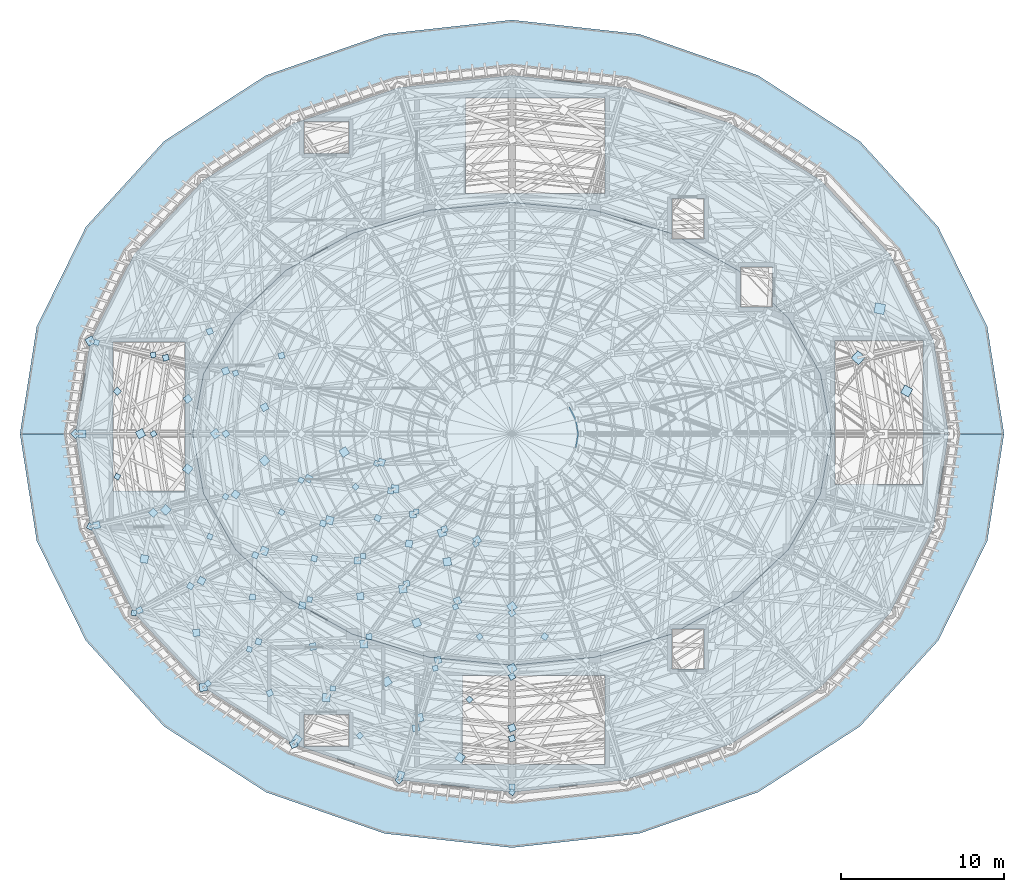
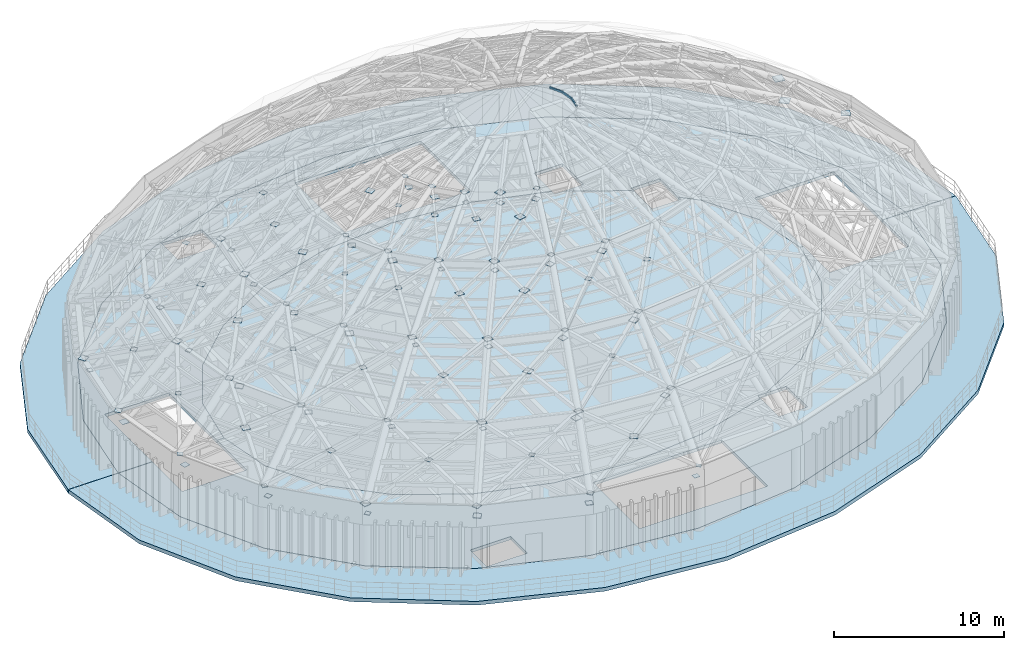
# One storey, part 35 of 50: 102 plates, 5 slabs, 3 members.
"""IFC4 building model written with IfcOpenShell, lengths in metres."""

from ifc_helpers import new_model, si_unit, direction, frame, origin, origin_2d, place, context, subcontext, project, spatial, polyline, rectangle, hollow_rectangle, outline, extrude, material, layer, layer_set, material_profile, profile_set, type_object, element, save


model = new_model("IFC4")

# Units and contexts
model_context = context("Model", 3, precision=1e-05, world=origin(), true_north=direction((0.0, 1.0)))
body_context = subcontext(model_context, "Body", "Model", "MODEL_VIEW")
ifc_project = project(units=[si_unit("LENGTHUNIT", "METRE"), si_unit("AREAUNIT", "SQUARE_METRE"), si_unit("VOLUMEUNIT", "CUBIC_METRE"), si_unit("PLANEANGLEUNIT", "RADIAN"), si_unit("MASSUNIT", "GRAM", prefix="KILO")], contexts=[model_context])

# Site, building, storey
site_placement = place(None, origin())
site = spatial("IfcSite", under=ifc_project, at=site_placement, CompositionType="ELEMENT")
building_placement = place(site_placement, origin())
building = spatial("IfcBuilding", under=site, at=building_placement, Name="Cinderbank Siding Concert Hall", CompositionType="ELEMENT")
storey_placement = place(building_placement, frame((0.0, 0.0, 23.699951171875)))
storey = spatial("IfcBuildingStorey", under=building, at=storey_placement, Name="L06", CompositionType="ELEMENT", Elevation=23.699951171875)

# Members
ifc_material_1 = material(Name="Structural steel hollow section AS/NZS 1163 Grade C350L0 (350 MPa)", Category="steel")
ifc_material_profile = material_profile(ifc_material_1, hollow_rectangle(XDim=0.074951171875, YDim=0.125, WallThickness=0.0048828125, at=origin_2d()), Name="125x75x5.0RHS", Category="LoadBearing")
ifc_profile_set = profile_set([ifc_material_profile], Name="Structural steel hollow section AS/NZS 1163 Grade C350L0 (350 MPa)")
member_type = type_object("IfcMemberType", Name="PR-RHS125 125x75x5.0RHS Roof Truss", PredefinedType="PURLIN", material=ifc_profile_set)
member_1_placement = place(storey_placement, frame((126.052978515625, 44.0, 16.150146484375), z_axis=(-0.160624167107, 0.98701564169, 0.0), x_axis=(-0.98701564169, -0.160624167107, 0.0)))
element("IfcMember", 1, at=member_1_placement, inside=storey, type_object=member_type, Name="L06 Roof Truss Member PR-RHS125 #1683", PredefinedType="PURLIN", context=body_context, shape_type="SweptSolid", body=[
    extrude(hollow_rectangle(XDim=0.074951171875, YDim=0.125, WallThickness=0.0048828125, at=origin_2d()), origin(), (0.0, 0.0, 1.0), 0.8603515625),
])
member_2_placement = place(storey_placement, frame((125.914794921875, 44.84912109375, 16.150146484375), z_axis=(-0.455435300966, 0.890268884458, 0.0), x_axis=(-0.890268884458, -0.455435300966, 0.0)))
element("IfcMember", 2, at=member_2_placement, inside=storey, type_object=member_type, Name="L06 Roof Truss Member PR-RHS125 #1693", PredefinedType="PURLIN", context=body_context, shape_type="SweptSolid", body=[
    extrude(hollow_rectangle(XDim=0.074951171875, YDim=0.125, WallThickness=0.0048828125, at=origin_2d()), origin(), (0.0, 0.0, 1.0), 0.888671875),
])
member_3_placement = place(storey_placement, frame((125.914794921875, 43.15087890625, 16.150146484375), z_axis=(0.160624167107, 0.98701564169, 0.0), x_axis=(-0.98701564169, 0.160624167107, 0.0)))
element("IfcMember", 3, at=member_3_placement, inside=storey, type_object=member_type, Name="L06 Roof Truss Member PR-RHS125 #1913", PredefinedType="PURLIN", context=body_context, shape_type="SweptSolid", body=[
    extrude(hollow_rectangle(XDim=0.074951171875, YDim=0.125, WallThickness=0.0048828125, at=origin_2d()), origin(), (0.0, 0.0, 1.0), 0.8603515625),
])

# Plates
ifc_material_2 = material(Name="Structural steel welded plate section AS/NZS 3679.2 / AS/NZS 3678 Grade 350 (340 MPa)", Category="steel")
ifc_layer_1 = layer(ifc_material_2, 0.02490234375)
ifc_layer_set_1 = layer_set([ifc_layer_1], Name="Structural steel welded plate section AS/NZS 3679.2 / AS/NZS 3678 Grade 350 (340 MPa)")
plate_type_1 = type_object("IfcPlateType", Name="GP-01 Steel Gusset Cap Plate 480x480x25", PredefinedType="SHEET", material=ifc_layer_set_1)
for number, where, z_axis, x_axis, name in (
    (4, (96.11328125, 49.694091796875, 4.487548828125), (0.0, 0.0, 1.0), (0.859227884191, 0.511593044351, 0.0), "L06 Steel Node Gusset Plate GP-01 #688"),
    (5, (99.199951171875, 44.0, 8.087646484375), (0.0, 0.0, 1.0), (0.476545113943, -0.879150018129, 0.0), "L06 Steel Node Gusset Plate GP-01 #692"),
    (6, (95.60205078125, 44.0, 3.53759765625), (0.0, 0.0, 1.0), (1.0, 0.0, 0.0), "L06 Steel Node Gusset Plate GP-01 #696"),
    (7, (100.747802734375, 39.32958984375, 7.1376953125), (0.0, 0.0, 1.0), (0.740452782677, -0.672108381607, 0.0), "L06 Steel Node Gusset Plate GP-01 #700"),
    (8, (99.429443359375, 36.317138671875, 6.42626953125), (0.0, 0.0, 1.0), (0.18909544299, 0.981958712696, 0.0), "L06 Steel Node Gusset Plate GP-01 #704"),
    (9, (103.049560546875, 28.443603515625, 4.487548828125), (0.0, 0.0, 1.0), (-0.127064608601, 0.99189444259, 0.0), "L06 Steel Node Gusset Plate GP-01 #708"),
    (10, (110.60009765625, 27.805419921875, 8.087646484375), (0.0, 0.0, 1.0), (0.996448909038, -0.084199594279, 0.0), "L06 Steel Node Gusset Plate GP-01 #712"),
    (11, (108.801025390625, 25.233154296875, 3.53759765625), (0.0, 0.0, 1.0), (0.573147450739, 0.819452255907, 0.0), "L06 Steel Node Gusset Plate GP-01 #716"),
    (12, (116.305419921875, 26.5693359375, 7.1376953125), (0.0, 0.0, 1.0), (0.984503179974, 0.175366726092, 0.0), "L06 Steel Node Gusset Plate GP-01 #720"),
    (13, (118.822509765625, 24.1201171875, 6.426025390625), (0.0, 0.0, 1.0), (-0.831857270839, 0.554989622383, 0.0), "L06 Steel Node Gusset Plate GP-01 #724"),
    (14, (103.800048828125, 44.0, 11.28759765625), (0.0, 0.0, 1.0), (0.61991599167, -0.784668186733, 0.0), "L06 Steel Node Gusset Plate GP-01 #788"),
    (15, (102.096435546875, 41.843505859375, 9.86181640625), (0.0, 0.0, 1.0), (0.61991599167, 0.784668186733, 0.0), "L06 Steel Node Gusset Plate GP-01 #792"),
    (16, (106.7900390625, 36.810791015625, 10.337646484375), (0.0, 0.0, 1.0), (0.92300887401, -0.384778661699, 0.0), "L06 Steel Node Gusset Plate GP-01 #796"),
    (17, (112.89990234375, 31.09619140625, 11.28759765625), (0.0, 0.0, 1.0), (0.998970569791, 0.045362988129, 0.0), "L06 Steel Node Gusset Plate GP-01 #800"),
    (18, (114.326416015625, 28.795654296875, 9.860595703125), (0.0, 0.0, 1.0), (-0.526955795497, 0.849892692987, 0.0), "L06 Steel Node Gusset Plate GP-01 #804"),
    (19, (122.0, 29.62158203125, 10.337646484375), (0.0, 0.0, 1.0), (0.881385914309, 0.472396941203, 0.0), "L06 Steel Node Gusset Plate GP-01 #808"),
    (20, (106.814697265625, 42.352783203125, 12.834228515625), (0.0, 0.0, 1.0), (0.735032945147, 0.678031392746, 0.0), "L06 Steel Node Gusset Plate GP-01 #864"),
    (21, (110.801513671875, 38.6923828125, 13.03759765625), (0.0, 0.0, 1.0), (0.964188042068, -0.265219568533, 0.0), "L06 Steel Node Gusset Plate GP-01 #868"),
    (22, (115.300048828125, 34.4736328125, 13.987548828125), (0.0, 0.0, 1.0), (0.986883906564, 0.161431579828, 0.0), "L06 Steel Node Gusset Plate GP-01 #872"),
    (23, (116.149169921875, 32.396728515625, 12.835205078125), (0.0, 0.0, 1.0), (-0.378487074295, 0.925606576571, 0.0), "L06 Steel Node Gusset Plate GP-01 #876"),
    (24, (122.0, 33.385009765625, 13.03759765625), (0.0, 0.0, 1.0), (0.811471998801, 0.584391303119, 0.0), "L06 Steel Node Gusset Plate GP-01 #880"),
    (25, (111.69970703125, 42.885498046875, 15.20458984375), (0.0, 0.0, 1.0), (0.836381838331, 0.548147261701, 0.0), "L06 Steel Node Gusset Plate GP-01 #936"),
    (26, (114.81298828125, 40.62255859375, 15.03759765625), (0.0, 0.0, 1.0), (0.993006778393, -0.11805735075, 0.0), "L06 Steel Node Gusset Plate GP-01 #940"),
    (27, (117.699951171875, 37.937744140625, 15.987548828125), (0.0, 0.0, 1.0), (0.949206038203, 0.314655203419, 0.0), "L06 Steel Node Gusset Plate GP-01 #944"),
    (28, (118.027099609375, 36.143310546875, 15.201171875), (0.0, 0.0, 1.0), (-0.179317351584, 0.983791282448, 0.0), "L06 Steel Node Gusset Plate GP-01 #948"),
):
    element("IfcPlate", number, at=place(storey_placement, frame(where, z_axis=z_axis, x_axis=x_axis)), inside=storey, type_object=plate_type_1, Name=name, PredefinedType="SHEET", context=body_context, shape_type="SweptSolid", body=[
        extrude(rectangle(XDim=0.47998046875, YDim=0.47998046875, at=origin_2d()), origin(), (0.0, 0.0, 1.0), 0.02490234375),
    ])
ifc_layer_2 = layer(ifc_material_2, 0.02197265625)
ifc_layer_set_2 = layer_set([ifc_layer_2], Name="Structural steel welded plate section AS/NZS 3679.2 / AS/NZS 3678 Grade 350 (340 MPa)")
plate_type_2 = type_object("IfcPlateType", Name="GP-02 Steel Gusset Cap Plate 420x420x22", PredefinedType="SHEET", material=ifc_layer_set_2)
for number, where, z_axis, x_axis, name in (
    (29, (95.199951171875, 44.0, 4.489013671875), (0.0, 0.0, 1.0), (0.70240155419, 0.711780904964, 0.0), "L06 Steel Node Gusset Plate GP-02 #693"),
    (30, (99.976806640625, 39.16015625, 8.089111328125), (0.0, 0.0, 1.0), (0.70240155419, -0.711780904964, 0.0), "L06 Steel Node Gusset Plate GP-02 #697"),
    (31, (96.50146484375, 38.391357421875, 3.5390625), (0.0, 0.0, 1.0), (0.976409200803, 0.215928396898, 0.0), "L06 Steel Node Gusset Plate GP-02 #701"),
    (32, (102.94580078125, 34.977294921875, 7.13916015625), (0.0, 0.0, 1.0), (0.883602237931, -0.468238278148, 0.0), "L06 Steel Node Gusset Plate GP-02 #705"),
    (33, (102.62158203125, 31.785400390625, 6.427490234375), (0.0, 0.0, 1.0), (-0.127064608601, 0.99189444259, 0.0), "L06 Steel Node Gusset Plate GP-02 #709"),
    (34, (108.60009765625, 24.947509765625, 4.489013671875), (0.0, 0.0, 1.0), (-0.423092745435, 0.906086380408, 0.0), "L06 Steel Node Gusset Plate GP-02 #713"),
    (35, (116.098876953125, 25.937255859375, 8.089111328125), (0.0, 0.0, 1.0), (0.991399238736, 0.130872263805, 0.0), "L06 Steel Node Gusset Plate GP-02 #717"),
    (36, (115.167724609375, 23.068359375, 3.5390625), (0.0, 0.0, 1.0), (0.308684994204, 0.951164325631, 0.0), "L06 Steel Node Gusset Plate GP-02 #721"),
    (37, (122.0, 25.95458984375, 7.13916015625), (0.0, 0.0, 1.0), (0.921185405566, 0.38912395014, 0.0), "L06 Steel Node Gusset Plate GP-02 #725"),
    (38, (104.420166015625, 47.8564453125, 11.2890625), (0.0, 0.0, 1.0), (0.366663609641, -0.93035358728, 0.0), "L06 Steel Node Gusset Plate GP-02 #785"),
    (39, (102.093994140625, 46.13818359375, 9.86328125), (0.0, 0.0, 1.0), (0.804271929332, 0.594261443885, 0.0), "L06 Steel Node Gusset Plate GP-02 #789"),
    (40, (105.035400390625, 40.278564453125, 10.339111328125), (0.0, 0.0, 1.0), (0.804271929332, -0.594261443885, 0.0), "L06 Steel Node Gusset Plate GP-02 #793"),
    (41, (109.130615234375, 33.464111328125, 11.2890625), (0.0, 0.0, 1.0), (0.985437590637, -0.170037510451, 0.0), "L06 Steel Node Gusset Plate GP-02 #797"),
    (42, (109.785888671875, 30.941162109375, 9.8623046875), (0.0, 0.0, 1.0), (-0.251393708421, 0.967884912253, 0.0), "L06 Steel Node Gusset Plate GP-02 #801"),
    (43, (117.454345703125, 30.111328125, 10.339111328125), (0.0, 0.0, 1.0), (0.965563505285, 0.260167479254, 0.0), "L06 Steel Node Gusset Plate GP-02 #805"),
    (44, (106.8125, 45.631591796875, 12.83642578125), (0.0, 0.0, 1.0), (0.879316310191, 0.476238203668, 0.0), "L06 Steel Node Gusset Plate GP-02 #861"),
    (45, (109.509521484375, 41.252685546875, 13.0390625), (0.0, 0.0, 1.0), (0.879316310191, -0.476238203668, 0.0), "L06 Steel Node Gusset Plate GP-02 #865"),
    (46, (112.52490234375, 36.2216796875, 13.989013671875), (0.0, 0.0, 1.0), (0.998638653892, -0.052161661713, 0.0), "L06 Steel Node Gusset Plate GP-02 #869"),
    (47, (112.68505859375, 34.032958984375, 12.8359375), (0.0, 0.0, 1.0), (-0.0730641318, 0.997327244511, 0.0), "L06 Steel Node Gusset Plate GP-02 #873"),
    (48, (118.6533203125, 33.74658203125, 13.0390625), (0.0, 0.0, 1.0), (0.926987583926, 0.375092014374, 0.0), "L06 Steel Node Gusset Plate GP-02 #877"),
    (49, (113.98388671875, 42.251708984375, 15.0390625), (0.0, 0.0, 1.0), (0.942174490079, -0.335122709234, 0.0), "L06 Steel Node Gusset Plate GP-02 #937"),
    (50, (115.9189453125, 39.05029296875, 15.989013671875), (0.0, 0.0, 1.0), (0.995072889372, 0.099146078272, 0.0), "L06 Steel Node Gusset Plate GP-02 #941"),
    (51, (115.67578125, 37.2529296875, 15.20361328125), (0.0, 0.0, 1.0), (0.133986185418, 0.990983199715, 0.0), "L06 Steel Node Gusset Plate GP-02 #945"),
    (52, (119.85205078125, 37.47509765625, 15.0390625), (0.0, 0.0, 1.0), (0.850719384362, 0.52562013762, 0.0), "L06 Steel Node Gusset Plate GP-02 #949"),
):
    element("IfcPlate", number, at=place(storey_placement, frame(where, z_axis=z_axis, x_axis=x_axis)), inside=storey, type_object=plate_type_2, Name=name, PredefinedType="SHEET", context=body_context, shape_type="SweptSolid", body=[
        extrude(rectangle(XDim=0.419921875, YDim=0.419921875, at=origin_2d()), origin(), (0.0, 0.0, 1.0), 0.02197265625),
    ])
ifc_layer_3 = layer(ifc_material_2, 0.02001953125)
ifc_layer_set_3 = layer_set([ifc_layer_3], Name="Structural steel welded plate section AS/NZS 3679.2 / AS/NZS 3678 Grade 350 (340 MPa)")
plate_type_3 = type_object("IfcPlateType", Name="GP-03 Steel Gusset Cap Plate 360x360x20", PredefinedType="SHEET", material=ifc_layer_set_3)
for number, where, z_axis, x_axis, name in (
    (53, (100.747802734375, 48.67041015625, 7.14013671875), (0.0, 0.0, 1.0), (0.252576015004, -0.967577054629, 0.0), "L06 Steel Node Gusset Plate GP-03 #690"),
    (54, (97.772705078125, 46.606689453125, 6.428955078125), (0.0, 0.0, 1.0), (0.70240155419, 0.711780904964, 0.0), "L06 Steel Node Gusset Plate GP-03 #694"),
    (55, (96.11328125, 38.305908203125, 4.489990234375), (0.0, 0.0, 1.0), (0.476545113943, 0.879150018129, 0.0), "L06 Steel Node Gusset Plate GP-03 #698"),
    (56, (102.254638671875, 34.64990234375, 8.090087890625), (0.0, 0.0, 1.0), (0.859227884191, -0.511593044351, 0.0), "L06 Steel Node Gusset Plate GP-03 #702"),
    (57, (99.138671875, 33.1650390625, 3.5400390625), (0.0, 0.0, 1.0), (0.90273550608, 0.430196008887, 0.0), "L06 Steel Node Gusset Plate GP-03 #706"),
    (58, (106.442138671875, 31.239990234375, 7.14013671875), (0.0, 0.0, 1.0), (0.966957007154, -0.2549394954, 0.0), "L06 Steel Node Gusset Plate GP-03 #710"),
    (59, (107.134521484375, 28.08642578125, 6.428466796875), (0.0, 0.0, 1.0), (-0.423092745435, 0.906086380408, 0.0), "L06 Steel Node Gusset Plate GP-03 #714"),
    (60, (115.063720703125, 22.74951171875, 4.489990234375), (0.0, 0.0, 1.0), (-0.66183538044, 0.749649204093, 0.0), "L06 Steel Node Gusset Plate GP-03 #718"),
    (61, (122.0, 25.300048828125, 8.090087890625), (0.0, 0.0, 1.0), (0.93855327437, 0.345134395808, 0.0), "L06 Steel Node Gusset Plate GP-03 #722"),
    (62, (122.0, 22.330078125, 3.5400390625), (0.0, 0.0, 1.0), (0.0, 1.0, 0.0), "L06 Steel Node Gusset Plate GP-03 #726"),
    (63, (103.447998046875, 50.286865234375, 9.864013671875), (0.0, 0.0, 1.0), (0.92300887401, 0.384778661699, 0.0), "L06 Steel Node Gusset Plate GP-03 #786"),
    (64, (104.43701171875, 44.0, 10.340087890625), (0.0, 0.0, 1.0), (0.61991599167, -0.784668186733, 0.0), "L06 Steel Node Gusset Plate GP-03 #790"),
    (65, (106.23828125, 36.550048828125, 11.2900390625), (0.0, 0.0, 1.0), (0.92300887401, -0.384778661699, 0.0), "L06 Steel Node Gusset Plate GP-03 #794"),
    (66, (106.07763671875, 33.976806640625, 9.863525390625), (0.0, 0.0, 1.0), (0.062267945373, 0.998059468659, 0.0), "L06 Steel Node Gusset Plate GP-03 #798"),
    (67, (113.218505859375, 31.5478515625, 10.340087890625), (0.0, 0.0, 1.0), (0.998970569791, 0.045362988129, 0.0), "L06 Steel Node Gusset Plate GP-03 #802"),
    (68, (122.0, 29.10009765625, 11.2900390625), (0.0, 0.0, 1.0), (0.881385914309, 0.472396941203, 0.0), "L06 Steel Node Gusset Plate GP-03 #806"),
    (69, (107.845703125, 48.798583984375, 12.838134765625), (0.0, 0.0, 1.0), (0.964188042068, 0.265219568533, 0.0), "L06 Steel Node Gusset Plate GP-03 #858"),
    (70, (110.395263671875, 38.5, 13.989990234375), (0.0, 0.0, 1.0), (0.964188042068, -0.265219568533, 0.0), "L06 Steel Node Gusset Plate GP-03 #866"),
    (71, (109.85498046875, 36.3486328125, 12.83642578125), (0.0, 0.0, 1.0), (0.243615011786, 0.969872015285, 0.0), "L06 Steel Node Gusset Plate GP-03 #870"),
    (72, (115.534423828125, 34.80712890625, 13.0400390625), (0.0, 0.0, 1.0), (0.986883906564, 0.161431579828, 0.0), "L06 Steel Node Gusset Plate GP-03 #874"),
    (73, (122.0, 33.0, 13.989990234375), (0.0, 0.0, 1.0), (0.811471998801, 0.584391303119, 0.0), "L06 Steel Node Gusset Plate GP-03 #878"),
    (74, (124.00830078125, 31.5537109375, 12.8388671875), (0.0, 0.0, 1.0), (-0.811471998801, 0.584391303119, 0.0), "L06 Steel Node Gusset Plate GP-03 #882"),
    (75, (114.55224609375, 40.5, 15.989990234375), (0.0, 0.0, 1.0), (0.993006778393, -0.11805735075, 0.0), "L06 Steel Node Gusset Plate GP-03 #938"),
    (76, (113.757080078125, 38.822509765625, 15.205810546875), (0.0, 0.0, 1.0), (0.428304381921, 0.903634525916, 0.0), "L06 Steel Node Gusset Plate GP-03 #942"),
    (77, (117.8505859375, 38.14990234375, 15.0400390625), (0.0, 0.0, 1.0), (0.949206038203, 0.314655203419, 0.0), "L06 Steel Node Gusset Plate GP-03 #946"),
):
    element("IfcPlate", number, at=place(storey_placement, frame(where, z_axis=z_axis, x_axis=x_axis)), inside=storey, type_object=plate_type_3, Name=name, PredefinedType="SHEET", context=body_context, shape_type="SweptSolid", body=[
        extrude(rectangle(XDim=0.360107421875, YDim=0.360107421875, at=origin_2d()), origin(), (0.0, 0.0, 1.0), 0.02001953125),
    ])
ifc_layer_4 = layer(ifc_material_2, 0.02099609375)
ifc_layer_set_4 = layer_set([ifc_layer_4], Name="Structural steel welded plate section AS/NZS 3679.2 / AS/NZS 3678 Grade 350 (340 MPa)")
plate_type_4 = type_object("IfcPlateType", Name="GP-04 Steel Gusset Cap Plate 320x320x21", PredefinedType="SHEET", material=ifc_layer_set_4)
for number, where, z_axis, x_axis, name in (
    (78, (99.976806640625, 48.83984375, 8.089599609375), (0.0, 0.0, 1.0), (0.18909544299, -0.981958712696, 0.0), "L06 Steel Node Gusset Plate GP-04 #687"),
    (79, (96.50146484375, 49.608642578125, 3.53955078125), (0.0, 0.0, 1.0), (0.976409200803, -0.215928396898, 0.0), "L06 Steel Node Gusset Plate GP-04 #691"),
    (80, (99.998046875, 44.0, 7.1396484375), (0.0, 0.0, 1.0), (0.529030899945, -0.848602561216, 0.0), "L06 Steel Node Gusset Plate GP-04 #695"),
    (81, (97.775634765625, 41.372314453125, 6.42822265625), (0.0, 0.0, 1.0), (0.476545113943, 0.879150018129, 0.0), "L06 Steel Node Gusset Plate GP-04 #699"),
    (82, (98.79052734375, 33.0, 4.489501953125), (0.0, 0.0, 1.0), (0.18909544299, 0.981958712696, 0.0), "L06 Steel Node Gusset Plate GP-04 #703"),
    (83, (105.8779296875, 30.777099609375, 8.089599609375), (0.0, 0.0, 1.0), (0.954188121518, -0.299207334056, 0.0), "L06 Steel Node Gusset Plate GP-04 #707"),
    (84, (103.333740234375, 28.677001953125, 3.53955078125), (0.0, 0.0, 1.0), (0.771180329014, 0.636616760808, 0.0), "L06 Steel Node Gusset Plate GP-04 #711"),
    (85, (110.9990234375, 28.3720703125, 7.1396484375), (0.0, 0.0, 1.0), (0.999208342878, -0.039783005453, 0.0), "L06 Steel Node Gusset Plate GP-04 #715"),
    (86, (112.66015625, 25.4716796875, 6.427978515625), (0.0, 0.0, 1.0), (-0.66183538044, 0.749649204093, 0.0), "L06 Steel Node Gusset Plate GP-04 #719"),
    (87, (122.0, 22.0, 4.489501953125), (0.0, 0.0, 1.0), (-0.831857270839, 0.554989622383, 0.0), "L06 Steel Node Gusset Plate GP-04 #723"),
    (88, (105.035400390625, 47.721435546875, 10.339599609375), (0.0, 0.0, 1.0), (0.366663609641, -0.93035358728, 0.0), "L06 Steel Node Gusset Plate GP-04 #787"),
    (89, (104.420166015625, 40.1435546875, 11.28955078125), (0.0, 0.0, 1.0), (0.804271929332, -0.594261443885, 0.0), "L06 Steel Node Gusset Plate GP-04 #791"),
    (90, (103.455078125, 37.6953125, 9.863525390625), (0.0, 0.0, 1.0), (0.366663609641, 0.93035358728, 0.0), "L06 Steel Node Gusset Plate GP-04 #795"),
    (91, (109.5810546875, 33.8330078125, 10.339599609375), (0.0, 0.0, 1.0), (0.985467252771, -0.169865516557, 0.0), "L06 Steel Node Gusset Plate GP-04 #799"),
    (92, (117.28955078125, 29.607666015625, 11.28955078125), (0.0, 0.0, 1.0), (0.965563505285, 0.260167479254, 0.0), "L06 Steel Node Gusset Plate GP-04 #803"),
    (93, (119.39013671875, 27.686767578125, 9.862548828125), (0.0, 0.0, 1.0), (-0.737984408834, 0.674817762301, 0.0), "L06 Steel Node Gusset Plate GP-04 #807"),
    (94, (109.056640625, 41.153076171875, 13.989501953125), (0.0, 0.0, 1.0), (0.879316310191, -0.476238203668, 0.0), "L06 Steel Node Gusset Plate GP-04 #863"),
    (95, (107.8525390625, 39.186279296875, 12.8359375), (0.0, 0.0, 1.0), (0.522200905326, 0.85282249881, 0.0), "L06 Steel Node Gusset Plate GP-04 #867"),
    (96, (112.8564453125, 36.494140625, 13.03955078125), (0.0, 0.0, 1.0), (0.998638653892, -0.052161661713, 0.0), "L06 Steel Node Gusset Plate GP-04 #871"),
    (97, (118.53173828125, 33.374755859375, 13.989501953125), (0.0, 0.0, 1.0), (0.926987583926, 0.375092014374, 0.0), "L06 Steel Node Gusset Plate GP-04 #875"),
    (98, (120.01123046875, 31.55126953125, 12.837890625), (0.0, 0.0, 1.0), (-0.629998339126, 0.776596479968, 0.0), "L06 Steel Node Gusset Plate GP-04 #879"),
    (99, (113.693115234375, 42.188232421875, 15.989501953125), (0.0, 0.0, 1.0), (0.942174490079, -0.335122709234, 0.0), "L06 Steel Node Gusset Plate GP-04 #935"),
    (100, (112.4013671875, 40.74365234375, 15.206298828125), (0.0, 0.0, 1.0), (0.666532470249, 0.745475999683, 0.0), "L06 Steel Node Gusset Plate GP-04 #939"),
    (101, (116.131591796875, 39.223388671875, 15.03955078125), (0.0, 0.0, 1.0), (0.995072889372, 0.099146078272, 0.0), "L06 Steel Node Gusset Plate GP-04 #943"),
    (102, (119.774169921875, 37.238525390625, 15.989501953125), (0.0, 0.0, 1.0), (0.850719384362, 0.52562013762, 0.0), "L06 Steel Node Gusset Plate GP-04 #947"),
):
    element("IfcPlate", number, at=place(storey_placement, frame(where, z_axis=z_axis, x_axis=x_axis)), inside=storey, type_object=plate_type_4, Name=name, PredefinedType="SHEET", context=body_context, shape_type="SweptSolid", body=[
        extrude(rectangle(XDim=0.320068359375, YDim=0.320068359375, at=origin_2d()), origin(), (0.0, 0.0, 1.0), 0.02099609375),
    ])
ifc_layer_5 = layer(ifc_material_2, 0.031982421875)
ifc_layer_set_5 = layer_set([ifc_layer_5], Name="Structural steel welded plate section AS/NZS 3679.2 / AS/NZS 3678 Grade 350 (340 MPa)")
plate_type_5 = type_object("IfcPlateType", Name="GP-06 Steel Gusset Cap Plate 550x550x32", PredefinedType="SHEET", material=ifc_layer_set_5)
plate_placement = place(storey_placement, frame((146.224365234375, 46.627685546875, 6.4228515625), z_axis=(0.0, 0.0, 1.0), x_axis=(-0.476545113943, -0.879150018129, 0.0)))
element("IfcPlate", 103, at=plate_placement, inside=storey, type_object=plate_type_5, Name="L06 Steel Node Gusset Plate GP-06 #639", PredefinedType="SHEET", context=body_context, shape_type="SweptSolid", body=[
    extrude(rectangle(XDim=0.550048828125, YDim=0.550048828125, at=origin_2d()), origin(), (0.0, 0.0, 1.0), 0.031982421875),
])
ifc_layer_6 = layer(ifc_material_2, 0.035888671875)
ifc_layer_set_6 = layer_set([ifc_layer_6], Name="Structural steel welded plate section AS/NZS 3679.2 / AS/NZS 3678 Grade 350 (340 MPa)")
plate_type_6 = type_object("IfcPlateType", Name="GP-07 Steel Gusset Cap Plate 620x620x36", PredefinedType="SHEET", material=ifc_layer_set_6)
for number, where, z_axis, x_axis, name in (
    (104, (143.252197265625, 48.67041015625, 7.13232421875), (0.0, 0.0, 1.0), (-0.740452782677, 0.672108381607, 0.0), "L06 Steel Node Gusset Plate GP-07 #640"),
    (105, (144.570556640625, 51.682861328125, 6.4208984375), (0.0, 0.0, 1.0), (-0.18909544299, -0.981958712696, 0.0), "L06 Steel Node Gusset Plate GP-07 #644"),
):
    element("IfcPlate", number, at=place(storey_placement, frame(where, z_axis=z_axis, x_axis=x_axis)), inside=storey, type_object=plate_type_6, Name=name, PredefinedType="SHEET", context=body_context, shape_type="SweptSolid", body=[
        extrude(rectangle(XDim=0.6201171875, YDim=0.6201171875, at=origin_2d()), origin(), (0.0, 0.0, 1.0), 0.035888671875),
    ])

# Slabs
ifc_material_3 = material(Name="Reinforced concrete AS 3600 N50 (50 MPa)", Category="concrete")
ifc_layer_7 = layer(ifc_material_3, 0.25)
ifc_layer_set_7 = layer_set([ifc_layer_7], Name="Reinforced concrete AS 3600 N50 (50 MPa)")
slab_type_1 = type_object("IfcSlabType", Name="SL-04 Slab 250mm", PredefinedType="FLOOR", material=ifc_layer_set_7)
slab_1_placement = place(storey_placement, frame((0.0, 0.0, -0.25)))
element("IfcSlab", 106, at=slab_1_placement, inside=storey, type_object=slab_type_1, Name="L06 Crown Recital Salon & Acoustic Canopy Slab", PredefinedType="FLOOR", context=body_context, shape_type="SweptSolid", body=[
    extrude(outline(polyline([(135.859375, 33.958984375), (132.389404296875, 32.030029296875), (131.820068359375, 32.030029296875), (131.800048828125, 31.702392578125), (127.072998046875, 30.283935546875), (122.0, 29.800048828125), (116.927001953125, 30.283935546875), (112.199951171875, 31.702392578125), (108.140625, 33.958984375), (105.02587890625, 36.89990234375), (103.06787109375, 40.32470703125), (102.39990234375, 44.0), (103.06787109375, 47.67529296875), (105.02587890625, 51.10009765625), (108.140625, 54.041015625), (112.199951171875, 56.297607421875), (116.927001953125, 57.716064453125), (122.0, 58.199951171875), (127.072998046875, 57.716064453125), (131.800048828125, 56.297607421875), (131.820068359375, 55.969970703125), (132.389404296875, 55.969970703125), (135.859375, 54.041015625), (136.02001953125, 53.88916015625), (136.02001953125, 51.77001953125), (137.97998046875, 51.77001953125), (137.97998046875, 52.03857421875), (138.97412109375, 51.10009765625), (140.93212890625, 47.67529296875), (141.60009765625, 44.0), (140.93212890625, 40.32470703125), (138.97412109375, 36.89990234375), (135.859375, 33.958984375)])), origin(), (0.0, 0.0, 1.0), 0.25),
])
ifc_layer_8 = layer(ifc_material_3, 0.219970703125)
ifc_layer_set_8 = layer_set([ifc_layer_8], Name="Reinforced concrete AS 3600 N50 (50 MPa)")
slab_type_2 = type_object("IfcSlabType", Name="SL-07 Slab 220mm", PredefinedType="FLOOR", material=ifc_layer_set_8)
slab_2_placement = place(storey_placement, frame((0.0, 0.0, -0.219970703125)))
element("IfcSlab", 107, at=slab_2_placement, inside=storey, type_object=slab_type_2, Name="L06 Organ & Conservation Ring Slab North", PredefinedType="FLOOR", context=body_context, shape_type="SweptSolid", body=[
    extrude(outline(polyline([(122.0, 66.0), (128.936279296875, 65.25048828125), (135.39990234375, 63.052490234375), (140.950439453125, 59.556396484375), (145.20947265625, 55.0), (147.88671875, 49.694091796875), (148.799072265625, 44.006103515625), (147.219970703125, 44.006103515625), (147.219970703125, 49.719970703125), (141.820068359375, 49.719970703125), (141.820068359375, 44.006103515625), (141.598876953125, 44.006103515625), (140.93212890625, 47.67529296875), (138.97412109375, 51.10009765625), (137.97998046875, 52.03857421875), (137.97998046875, 54.22998046875), (136.02001953125, 54.22998046875), (136.02001953125, 53.88916015625), (135.859375, 54.041015625), (132.389404296875, 55.969970703125), (133.780029296875, 55.969970703125), (133.780029296875, 58.429931640625), (131.820068359375, 58.429931640625), (131.820068359375, 56.28662109375), (127.072998046875, 57.716064453125), (122.0, 58.199951171875), (116.927001953125, 57.716064453125), (112.199951171875, 56.297607421875), (108.140625, 54.041015625), (105.02587890625, 51.10009765625), (103.06787109375, 47.67529296875), (102.401123046875, 44.006103515625), (101.919921875, 44.006103515625), (101.919921875, 49.6201171875), (97.52001953125, 49.6201171875), (97.52001953125, 44.006103515625), (95.200927734375, 44.006103515625), (96.11328125, 49.694091796875), (98.79052734375, 55.0), (103.049560546875, 59.556396484375), (108.60009765625, 63.052490234375), (115.063720703125, 65.25048828125), (122.0, 66.0)]), holes=[polyline([(119.14990234375, 58.75), (127.699951171875, 58.75), (127.699951171875, 64.610107421875), (119.14990234375, 64.610107421875), (119.14990234375, 58.75)]), polyline([(111.97998046875, 61.219970703125), (111.97998046875, 63.179931640625), (109.219970703125, 63.179931640625), (109.219970703125, 61.219970703125), (111.97998046875, 61.219970703125)])]), origin(), (0.0, 0.0, 1.0), 0.219970703125),
])
slab_3_placement = place(storey_placement, frame((0.0, 0.0, -0.219970703125)))
element("IfcSlab", 108, at=slab_3_placement, inside=storey, type_object=slab_type_2, Name="L06 Organ & Conservation Ring Slab South", PredefinedType="FLOOR", context=body_context, shape_type="SweptSolid", body=[
    extrude(outline(polyline([(122.0, 22.0), (115.063720703125, 22.74951171875), (108.60009765625, 24.947509765625), (103.049560546875, 28.443603515625), (98.79052734375, 33.0), (96.11328125, 38.305908203125), (95.200927734375, 43.993896484375), (97.52001953125, 43.993896484375), (97.52001953125, 40.47998046875), (101.919921875, 40.47998046875), (101.919921875, 43.993896484375), (102.401123046875, 43.993896484375), (103.06787109375, 40.32470703125), (105.02587890625, 36.89990234375), (108.140625, 33.958984375), (112.199951171875, 31.702392578125), (116.927001953125, 30.283935546875), (122.0, 29.800048828125), (127.072998046875, 30.283935546875), (131.820068359375, 31.71337890625), (131.820068359375, 29.570068359375), (133.780029296875, 29.570068359375), (133.780029296875, 32.030029296875), (132.389404296875, 32.030029296875), (135.859375, 33.958984375), (138.97412109375, 36.89990234375), (140.93212890625, 40.32470703125), (141.598876953125, 43.993896484375), (141.820068359375, 43.993896484375), (141.820068359375, 40.8798828125), (147.219970703125, 40.8798828125), (147.219970703125, 43.993896484375), (148.799072265625, 43.993896484375), (147.88671875, 38.305908203125), (145.20947265625, 33.0), (140.950439453125, 28.443603515625), (135.39990234375, 24.947509765625), (128.936279296875, 22.74951171875), (122.0, 22.0)]), holes=[polyline([(118.949951171875, 23.699951171875), (127.699951171875, 23.699951171875), (127.699951171875, 29.159912109375), (118.949951171875, 29.159912109375), (118.949951171875, 23.699951171875)]), polyline([(111.97998046875, 24.820068359375), (111.97998046875, 26.780029296875), (109.219970703125, 26.780029296875), (109.219970703125, 24.820068359375), (111.97998046875, 24.820068359375)])]), origin(), (0.0, 0.0, 1.0), 0.219970703125),
])
ifc_layer_9 = layer(ifc_material_3, 0.27001953125)
ifc_layer_set_9 = layer_set([ifc_layer_9], Name="Reinforced concrete AS 3600 N50 (50 MPa)")
slab_type_3 = type_object("IfcSlabType", Name="SL-TR1 Slab 270mm", PredefinedType="FLOOR", material=ifc_layer_set_9)
slab_4_placement = place(storey_placement, frame((0.0, 0.0, -0.27001953125)))
element("IfcSlab", 109, at=slab_4_placement, inside=storey, type_object=slab_type_3, Name="L06 Upper Drum Stepped Terrace North", PredefinedType="FLOOR", context=body_context, shape_type="SweptSolid", body=[
    extrude(outline(polyline([(92.8291015625, 50.573974609375), (95.845947265625, 56.699951171875), (100.6455078125, 61.96044921875), (106.89990234375, 65.9970703125), (114.18359375, 68.534423828125), (122.0, 69.39990234375), (129.81640625, 68.534423828125), (137.10009765625, 65.9970703125), (143.3544921875, 61.96044921875), (148.154052734375, 56.699951171875), (151.1708984375, 50.573974609375), (152.19921875, 44.006103515625), (148.799072265625, 44.006103515625), (147.88671875, 49.694091796875), (145.20947265625, 55.0), (140.950439453125, 59.556396484375), (135.39990234375, 63.052490234375), (128.936279296875, 65.25048828125), (122.0, 66.0), (115.063720703125, 65.25048828125), (108.60009765625, 63.052490234375), (103.049560546875, 59.556396484375), (98.79052734375, 55.0), (96.11328125, 49.694091796875), (95.200927734375, 44.006103515625), (91.80078125, 44.006103515625), (92.8291015625, 50.573974609375)])), origin(), (0.0, 0.0, 1.0), 0.27001953125),
])
slab_5_placement = place(storey_placement, frame((0.0, 0.0, -0.27001953125)))
element("IfcSlab", 110, at=slab_5_placement, inside=storey, type_object=slab_type_3, Name="L06 Upper Drum Stepped Terrace South", PredefinedType="FLOOR", context=body_context, shape_type="SweptSolid", body=[
    extrude(outline(polyline([(148.154052734375, 31.300048828125), (143.3544921875, 26.03955078125), (137.10009765625, 22.0029296875), (129.81640625, 19.465576171875), (122.0, 18.60009765625), (114.18359375, 19.465576171875), (106.89990234375, 22.0029296875), (100.6455078125, 26.03955078125), (95.845947265625, 31.300048828125), (92.8291015625, 37.426025390625), (91.80078125, 43.993896484375), (95.200927734375, 43.993896484375), (96.11328125, 38.305908203125), (98.79052734375, 33.0), (103.049560546875, 28.443603515625), (108.60009765625, 24.947509765625), (115.063720703125, 22.74951171875), (122.0, 22.0), (128.936279296875, 22.74951171875), (135.39990234375, 24.947509765625), (140.950439453125, 28.443603515625), (145.20947265625, 33.0), (147.88671875, 38.305908203125), (148.799072265625, 43.993896484375), (152.19921875, 43.993896484375), (151.1708984375, 37.426025390625), (148.154052734375, 31.300048828125)])), origin(), (0.0, 0.0, 1.0), 0.27001953125),
])

save(model, "model.ifc")
